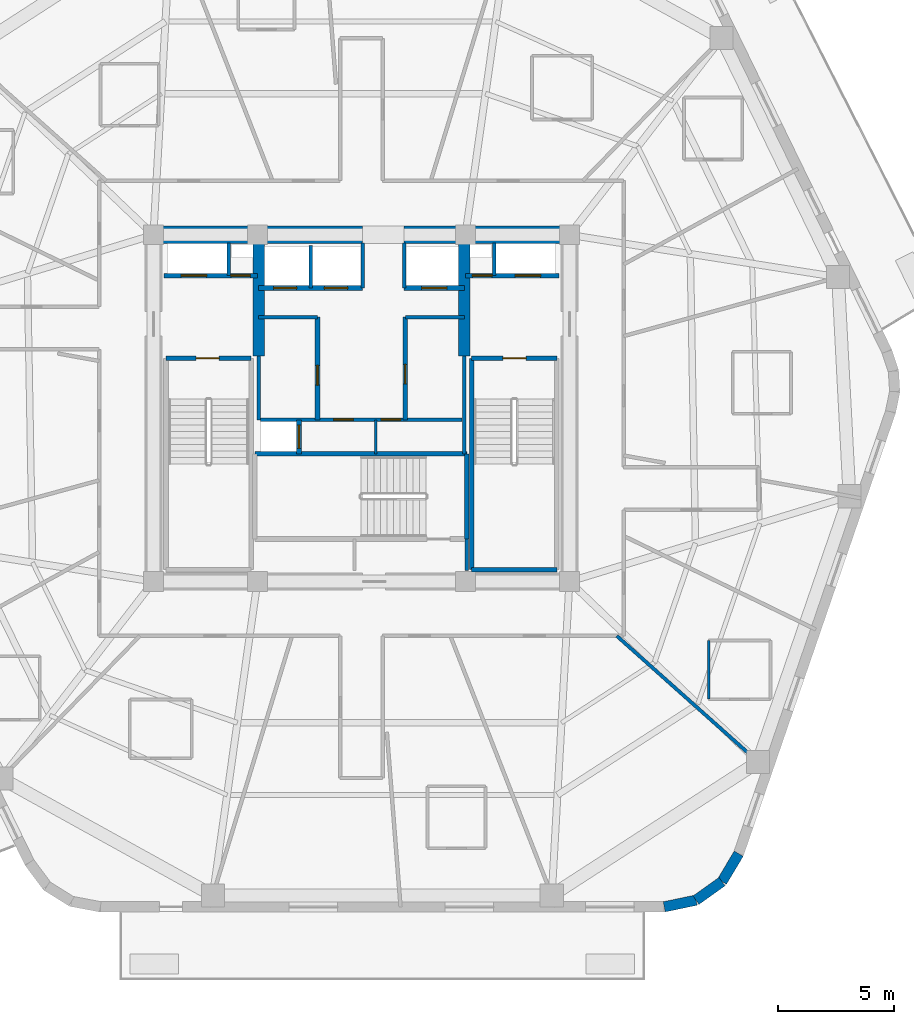
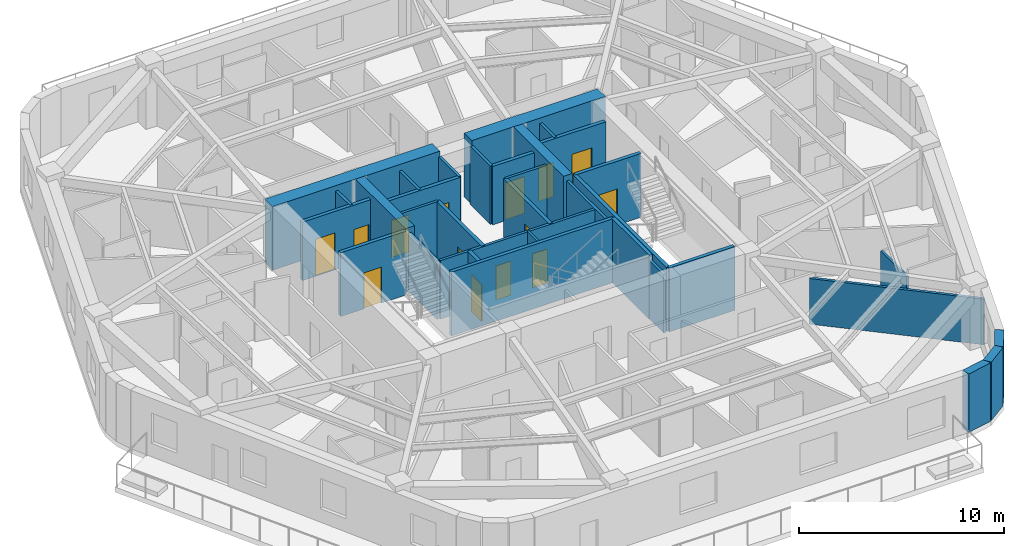
# One storey, part 4 of 10: 34 walls, 14 doors, 14 openings.
"""IFC4 building model written with IfcOpenShell, lengths in metres."""

from ifc_helpers import new_model, si_unit, direction, frame, frame_2d, origin, place, context, subcontext, project, spatial, rectangle, extrude, material, layer, layer_set, type_object, element, fill, save


model = new_model("IFC4")

# Units and contexts
model_context = context("Model", 3, precision=1e-05, world=origin(), true_north=direction((0.0, 1.0)))
body_context = subcontext(model_context, "Body", "Model", "MODEL_VIEW")
ifc_project = project(units=[si_unit("LENGTHUNIT", "METRE"), si_unit("AREAUNIT", "SQUARE_METRE"), si_unit("VOLUMEUNIT", "CUBIC_METRE"), si_unit("PLANEANGLEUNIT", "RADIAN"), si_unit("MASSUNIT", "GRAM", prefix="KILO")], contexts=[model_context])

# Site, building, storey
site_placement = place(None, origin())
site = spatial("IfcSite", under=ifc_project, at=site_placement, CompositionType="ELEMENT")
building_placement = place(site_placement, origin())
building = spatial("IfcBuilding", under=site, at=building_placement, Name="Kilnhurst Terrace Hotel", CompositionType="ELEMENT")
storey_placement = place(building_placement, frame((0.0, 0.0, 252.10009765625)))
storey = spatial("IfcBuildingStorey", under=building, at=storey_placement, Name="L63", CompositionType="ELEMENT", Elevation=252.10009765625)

# Walls
ifc_material_1 = material(Name="Precast concrete C40/50", Category="concrete")
ifc_layer_1 = layer(ifc_material_1, 0.449951171875, Name="Precast concrete C40/50")
ifc_layer_set_1 = layer_set([ifc_layer_1], Name="Precast concrete C40/50")
wall_type_1 = type_object("IfcWallType", Name="WL-BRK-450", PredefinedType="SOLIDWALL", material=ifc_layer_set_1)
wall_1_placement = place(storey_placement, frame((13.1015625, -21.574951171875, 0.0), z_axis=(0.0, 0.0, 1.0), x_axis=(0.978757421505, 0.205021730188, 0.0)))
element("IfcWall", 1, at=wall_1_placement, inside=storey, type_object=wall_type_1, Name="L63 Rounded Corner Brick Wall C2.1", PredefinedType="SOLIDWALL", context=body_context, shape_type="SweptSolid", body=[
    extrude(rectangle(XDim=1.40625, YDim=0.449951171875, at=frame_2d((0.703125, 0.0))), origin(), (0.0, 0.0, 1.0), 3.47998046875),
])
wall_2_placement = place(storey_placement, frame((14.47802734375, -21.28662109375, 0.0), z_axis=(0.0, 0.0, 1.0), x_axis=(0.813888518617, 0.58102106611, 0.0)))
element("IfcWall", 2, at=wall_2_placement, inside=storey, type_object=wall_type_1, Name="L63 Rounded Corner Brick Wall C2.2", PredefinedType="SOLIDWALL", context=body_context, shape_type="SweptSolid", body=[
    extrude(rectangle(XDim=1.3828125, YDim=0.449951171875, at=frame_2d((0.69140625, 0.0))), origin(), (0.0, 0.0, 1.0), 3.47998046875),
])
wall_3_placement = place(storey_placement, frame((15.603515625, -20.483154296875, 0.0), z_axis=(0.0, 0.0, 1.0), x_axis=(0.512222149036, 0.858852996756, 0.0)))
element("IfcWall", 3, at=wall_3_placement, inside=storey, type_object=wall_type_1, Name="L63 Rounded Corner Brick Wall C2.3", PredefinedType="SOLIDWALL", context=body_context, shape_type="SweptSolid", body=[
    extrude(rectangle(XDim=1.406494140625, YDim=0.449951171875, at=frame_2d((0.703125, 0.0))), origin(), (0.0, 0.0, 1.0), 3.47998046875),
])
ifc_material_2 = material(Name="Concrete C60/75", Category="concrete")
ifc_layer_2 = layer(ifc_material_2, 0.75, Name="Concrete C60/75")
ifc_layer_set_2 = layer_set([ifc_layer_2], Name="Concrete C60/75")
wall_type_2 = type_object("IfcWallType", Name="WL-CORE-750", PredefinedType="SHEAR", material=ifc_layer_set_2)
wall_4_placement = place(storey_placement, frame((-9.375, 7.5, 0.0), z_axis=(0.0, 0.0, 1.0), x_axis=(1.0, 0.0, 0.0)))
element("IfcWall", 4, at=wall_4_placement, inside=storey, type_object=wall_type_2, Name="L63 Core North West Shear Wall", PredefinedType="SHEAR", context=body_context, shape_type="SweptSolid", body=[
    extrude(rectangle(XDim=9.425048828125, YDim=0.75, at=frame_2d((4.71240234375, 0.0))), origin(), (0.0, 0.0, 1.0), 3.7998046875),
])
wall_5_placement = place(storey_placement, frame((1.85009765625, 7.5, 0.0), z_axis=(0.0, 0.0, 1.0), x_axis=(1.0, 0.0, 0.0)))
element("IfcWall", 5, at=wall_5_placement, inside=storey, type_object=wall_type_2, Name="L63 Core North East Shear Wall", PredefinedType="SHEAR", context=body_context, shape_type="SweptSolid", body=[
    extrude(rectangle(XDim=7.52490234375, YDim=0.75, at=frame_2d((3.762451171875, 0.0))), origin(), (0.0, 0.0, 1.0), 3.7998046875),
])
ifc_layer_3 = layer(ifc_material_2, 0.5, Name="Concrete C60/75")
ifc_layer_set_3 = layer_set([ifc_layer_3], Name="Concrete C60/75")
wall_type_3 = type_object("IfcWallType", Name="WL-CORE-WEB-500", PredefinedType="SHEAR", material=ifc_layer_set_3)
for number, where, z_axis, x_axis, name in (
    (6, (-4.449951171875, 2.25, 0.0), (0.0, 0.0, 1.0), (0.0, 1.0, 0.0), "L63 Core Internal West Shear Web"),
    (7, (4.449951171875, 2.25, 0.0), (0.0, 0.0, 1.0), (0.0, 1.0, 0.0), "L63 Core Internal East Shear Web"),
):
    element("IfcWall", number, at=place(storey_placement, frame(where, z_axis=z_axis, x_axis=x_axis)), inside=storey, type_object=wall_type_3, Name=name, PredefinedType="SHEAR", context=body_context, shape_type="SweptSolid", body=[
        extrude(rectangle(XDim=4.875, YDim=0.5, at=frame_2d((2.4375, 0.0))), origin(), (0.0, 0.0, 1.0), 3.7998046875),
    ])
ifc_material_3 = material(Name="STC-58 Acoustic Twin-Frame Guestroom Demising Partition")
ifc_layer_4 = layer(ifc_material_3, 0.14990234375, Name="STC-58 Acoustic Twin-Frame Guestroom Demising Partition")
ifc_layer_set_4 = layer_set([ifc_layer_4], Name="STC-58 Acoustic Twin-Frame Guestroom Demising Partition")
wall_type_4 = type_object("IfcWallType", Name="WL-DEM-150", PredefinedType="PARTITIONING", material=ifc_layer_set_4)
wall_6_placement = place(storey_placement, frame((11.04833984375, -9.85009765625, 0.0), z_axis=(0.0, 0.0, 1.0), x_axis=(0.746444434655, -0.665447748492, 0.0)))
element("IfcWall", 8, at=wall_6_placement, inside=storey, type_object=wall_type_4, Name="L63 Interior Wall WL-L63-DEM-COL11-16-1", PredefinedType="PARTITIONING", context=body_context, shape_type="SweptSolid", body=[
    extrude(rectangle(XDim=8.732177734375, YDim=0.14990234375, at=frame_2d((4.3662109375, 0.0))), origin(), (0.0, 0.0, 1.0), 2.719970703125),
])
ifc_material_4 = material(Name="120 mm Moisture-Resistant Tile-Backed Bathroom Partition")
ifc_layer_5 = layer(ifc_material_4, 0.1201171875, Name="120 mm Moisture-Resistant Tile-Backed Bathroom Partition")
ifc_layer_set_5 = layer_set([ifc_layer_5], Name="120 mm Moisture-Resistant Tile-Backed Bathroom Partition")
wall_type_5 = type_object("IfcWallType", Name="WL-PART-120", PredefinedType="PARTITIONING", material=ifc_layer_set_5)
wall_7_placement = place(storey_placement, frame((0.6201171875, -1.971923828125, 0.0), z_axis=(0.0, 0.0, 1.0), x_axis=(0.0, 1.0, 0.0)))
element("IfcWall", 9, at=wall_7_placement, inside=storey, type_object=wall_type_5, Name="L63 Interior Wall WL-L63-BOH-C1", PredefinedType="PARTITIONING", context=body_context, shape_type="SweptSolid", body=[
    extrude(rectangle(XDim=1.471923828125, YDim=0.1201171875, at=frame_2d((0.73583984375, 0.0))), origin(), (0.0, 0.0, 1.0), 3.47998046875),
])
wall_8_placement = place(storey_placement, frame((15.02392578125, -10.049072265625, 0.0), z_axis=(0.0, 0.0, 1.0), x_axis=(0.0, -1.0, 0.0)))
element("IfcWall", 10, at=wall_8_placement, inside=storey, type_object=wall_type_5, Name="L63 Interior Wall WL-L63-BTH-16-4", PredefinedType="PARTITIONING", context=body_context, shape_type="SweptSolid", body=[
    extrude(rectangle(XDim=2.5400390625, YDim=0.1201171875, at=frame_2d((1.27001953125, 0.0))), origin(), (0.0, 0.0, 1.0), 3.05224609375),
])
ifc_material_5 = material(Name="Fire-Rated Gypsum Shaftliner Assembly")
ifc_layer_6 = layer(ifc_material_5, 0.14990234375, Name="Fire-Rated Gypsum Shaftliner Assembly")
ifc_layer_set_6 = layer_set([ifc_layer_6], Name="Fire-Rated Gypsum Shaftliner Assembly")
wall_type_6 = type_object("IfcWallType", Name="WL-SHAFT-150", PredefinedType="PARTITIONING", material=ifc_layer_set_6)
wall_9_placement = place(storey_placement, frame((4.55810546875, -7.02001953125, 0.0), z_axis=(0.0, 0.0, 1.0), x_axis=(0.0, 1.0, 0.0)))
element("IfcWall", 11, at=wall_9_placement, inside=storey, type_object=wall_type_6, Name="L63 Interior Wall WL-L63-ST3-PSGE", PredefinedType="PARTITIONING", context=body_context, shape_type="SweptSolid", body=[
    extrude(rectangle(XDim=1.362060546875, YDim=0.14990234375, at=frame_2d((0.68115234375, 0.0))), origin(), (0.0, 0.0, 1.0), 3.47998046875),
])
for number, where, z_axis, x_axis, name in (
    (12, (-5.75, 5.739990234375, 0.0), (0.0, 0.0, 1.0), (0.0, 1.0, 0.0), "L63 Interior Wall WL-L63-RIS1-DIV"),
    (13, (5.75, 5.739990234375, 0.0), (0.0, 0.0, 1.0), (0.0, 1.0, 0.0), "L63 Interior Wall WL-L63-RIS2-DIV"),
):
    element("IfcWall", number, at=place(storey_placement, frame(where, z_axis=z_axis, x_axis=x_axis)), inside=storey, type_object=wall_type_6, Name=name, PredefinedType="PARTITIONING", context=body_context, shape_type="SweptSolid", body=[
        extrude(rectangle(XDim=1.409912109375, YDim=0.14990234375, at=frame_2d((0.705078125, 0.0))), origin(), (0.0, 0.0, 1.0), 3.47998046875),
    ])
wall_10_placement = place(storey_placement, frame((-2.199951171875, 5.199951171875, 0.0), z_axis=(0.0, 0.0, 1.0), x_axis=(0.0, 1.0, 0.0)))
element("IfcWall", 14, at=wall_10_placement, inside=storey, type_object=wall_type_6, Name="L63 Interior Wall WL-L63-HR-DIV1", PredefinedType="PARTITIONING", context=body_context, shape_type="SweptSolid", body=[
    extrude(rectangle(XDim=1.85009765625, YDim=0.14990234375, at=frame_2d((0.925048828125, 0.0))), origin(), (0.0, 0.0, 1.0), 3.47998046875),
])
for number, where, z_axis, x_axis, name in (
    (15, (0.050048828125, 5.199951171875, 0.0), (0.0, 0.0, 1.0), (0.0, 1.0, 0.0), "L63 Interior Wall WL-L63-HR-PORTAL-W"),
    (16, (1.85009765625, 5.199951171875, 0.0), (0.0, 0.0, 1.0), (0.0, 1.0, 0.0), "L63 Interior Wall WL-L63-HR-PORTAL-E"),
):
    element("IfcWall", number, at=place(storey_placement, frame(where, z_axis=z_axis, x_axis=x_axis)), inside=storey, type_object=wall_type_6, Name=name, PredefinedType="PARTITIONING", context=body_context, shape_type="SweptSolid", body=[
        extrude(rectangle(XDim=1.949951171875, YDim=0.14990234375, at=frame_2d((0.97509765625, 0.0))), origin(), (0.0, 0.0, 1.0), 3.47998046875),
    ])
wall_11_placement = place(storey_placement, frame((-4.449951171875, -0.5, 0.0), z_axis=(0.0, 0.0, 1.0), x_axis=(0.0, 1.0, 0.0)))
element("IfcWall", 17, at=wall_11_placement, inside=storey, type_object=wall_type_6, Name="L63 Interior Wall WL-L63-XLOB-W", PredefinedType="PARTITIONING", context=body_context, shape_type="SweptSolid", body=[
    extrude(rectangle(XDim=2.75, YDim=0.14990234375, at=frame_2d((1.375, 0.0))), origin(), (0.0, 0.0, 1.0), 3.47998046875),
])
wall_12_placement = place(storey_placement, frame((4.449951171875, -1.971923828125, 0.0), z_axis=(0.0, 0.0, 1.0), x_axis=(0.0, 1.0, 0.0)))
element("IfcWall", 18, at=wall_12_placement, inside=storey, type_object=wall_type_6, Name="L63 Interior Wall WL-L63-XLOB-E", PredefinedType="PARTITIONING", context=body_context, shape_type="SweptSolid", body=[
    extrude(rectangle(XDim=4.221923828125, YDim=0.14990234375, at=frame_2d((2.11083984375, 0.0))), origin(), (0.0, 0.0, 1.0), 3.47998046875),
])
for number, where, z_axis, x_axis, name in (
    (19, (-4.449951171875, 3.93994140625, 0.0), (0.0, 0.0, 1.0), (1.0, 0.0, 0.0), "L63 Interior Wall WL-L63-LR-NORTH"),
    (20, (1.89990234375, 3.93994140625, 0.0), (0.0, 0.0, 1.0), (1.0, 0.0, 0.0), "L63 Interior Wall WL-L63-MR-NORTH"),
):
    element("IfcWall", number, at=place(storey_placement, frame(where, z_axis=z_axis, x_axis=x_axis)), inside=storey, type_object=wall_type_6, Name=name, PredefinedType="PARTITIONING", context=body_context, shape_type="SweptSolid", body=[
        extrude(rectangle(XDim=2.550048828125, YDim=0.14990234375, at=frame_2d((1.27490234375, 0.0))), origin(), (0.0, 0.0, 1.0), 3.47998046875),
    ])

# Wall, openings, doors
wall_13_placement = place(storey_placement, frame((-4.360107421875, -0.489990234375, 0.0), z_axis=(0.0, 0.0, 1.0), x_axis=(1.0, 0.0, 0.0)))
wall_13 = element("IfcWall", 21, at=wall_13_placement, inside=storey, type_object=wall_type_6, Name="L63 Interior Wall WL-L63-BOH-N", PredefinedType="PARTITIONING", context=body_context, shape_type="SweptSolid", body=[
    extrude(rectangle(XDim=8.72021484375, YDim=0.14990234375, at=frame_2d((4.360107421875, 0.0))), origin(), (0.0, 0.0, 1.0), 3.47998046875),
])
opening_1_placement = place(wall_13_placement, frame((3.159912109375, 0.0, 0.0)))
opening_1 = element("IfcOpeningElement", 22, at=opening_1_placement, cuts=wall_13, Name="Opening D-60D", PredefinedType="OPENING", context=body_context, shape_type="SweptSolid", body=[
    extrude(rectangle(XDim=0.85009765625, YDim=2.030029296875, at=frame_2d((0.425048828125, 1.01513671875))), frame((0.0, 0.0849609375, 0.0), z_axis=(0.0, -1.0, 0.0), x_axis=(1.0, 0.0, 0.0)), (0.0, 0.0, 1.0), 0.169921875),
])
opening_2_placement = place(wall_13_placement, frame((5.2099609375, 0.0, 0.0)))
opening_2 = element("IfcOpeningElement", 23, at=opening_2_placement, cuts=wall_13, Name="Opening D-60D", PredefinedType="OPENING", context=body_context, shape_type="SweptSolid", body=[
    extrude(rectangle(XDim=0.85009765625, YDim=2.030029296875, at=frame_2d((0.425048828125, 1.01513671875))), frame((0.0, 0.0849609375, 0.0), z_axis=(0.0, -1.0, 0.0), x_axis=(1.0, 0.0, 0.0)), (0.0, 0.0, 1.0), 0.169921875),
])
ifc_material_6 = material(Name="Painted Hollow Metal Steel ASTM A36 Riser Door", Category="steel")
door_type_1 = type_object("IfcDoorType", Name="DR-FD60-850", OperationType="NOTDEFINED", PredefinedType="DOOR", material=ifc_material_6)
door_1_placement = place(opening_1_placement, origin())
door_1 = element("IfcDoor", 24, at=door_1_placement, inside=storey, type_object=door_type_1, Name="L63 Housekeeping Laundry Door", OperationType="SINGLE_SWING_LEFT", OverallHeight=2.030029296875, OverallWidth=0.85009765625, PredefinedType="DOOR", context=body_context, shape_type="SweptSolid", body=[
    extrude(rectangle(XDim=0.85009765625, YDim=2.030029296875, at=frame_2d((0.425048828125, 1.01513671875))), frame((0.0, 0.02490234375, 0.0), z_axis=(0.0, -1.0, 0.0), x_axis=(1.0, 0.0, 0.0)), (0.0, 0.0, 1.0), 0.050048828125),
])
fill(opening_1, door_1)
door_2_placement = place(opening_2_placement, origin())
door_2 = element("IfcDoor", 25, at=door_2_placement, inside=storey, type_object=door_type_1, Name="L63 Room Service Kitchen Door", OperationType="SINGLE_SWING_RIGHT", OverallHeight=2.030029296875, OverallWidth=0.85009765625, PredefinedType="DOOR", context=body_context, shape_type="SweptSolid", body=[
    extrude(rectangle(XDim=0.85009765625, YDim=2.030029296875, at=frame_2d((0.425048828125, 1.01513671875))), frame((0.0, 0.02490234375, 0.0), z_axis=(0.0, -1.0, 0.0), x_axis=(1.0, 0.0, 0.0)), (0.0, 0.0, 1.0), 0.050048828125),
])
fill(opening_2, door_2)

ifc_material_7 = material(Name="Autoclaved Aerated Concrete C30/37 and Gypsum Shaft Assembly", Category="concrete")
ifc_layer_7 = layer(ifc_material_7, 0.199951171875, Name="Autoclaved Aerated Concrete C30/37 and Gypsum Shaft Assembly")
ifc_layer_set_7 = layer_set([ifc_layer_7], Name="Autoclaved Aerated Concrete C30/37 and Gypsum Shaft Assembly")
wall_type_7 = type_object("IfcWallType", Name="WL-SHAFT-200", PredefinedType="PARTITIONING", material=ifc_layer_set_7)
wall_14_placement = place(storey_placement, frame((-8.550048828125, 5.739990234375, 0.0), z_axis=(0.0, 0.0, 1.0), x_axis=(1.0, 0.0, 0.0)))
wall_14 = element("IfcWall", 26, at=wall_14_placement, inside=storey, type_object=wall_type_7, Name="L63 Interior Wall WL-L63-FSAE1-S", PredefinedType="PARTITIONING", context=body_context, shape_type="SweptSolid", body=[
    extrude(rectangle(XDim=4.050048828125, YDim=0.199951171875, at=frame_2d((2.02490234375, 0.0))), origin(), (0.0, 0.0, 1.0), 3.47998046875),
])
opening_3_placement = place(wall_14_placement, frame((0.75, 0.0, 0.0)))
opening_3 = element("IfcOpeningElement", 27, at=opening_3_placement, cuts=wall_14, Name="Opening LD-F1", PredefinedType="OPENING", context=body_context, shape_type="SweptSolid", body=[
    extrude(rectangle(XDim=1.10009765625, YDim=2.199951171875, at=frame_2d((0.550048828125, 1.10009765625))), frame((0.0, 0.10986328125, 0.0), z_axis=(0.0, -1.0, 0.0), x_axis=(1.0, 0.0, 0.0)), (0.0, 0.0, 1.0), 0.219970703125),
])
opening_4_placement = place(wall_14_placement, frame((2.89990234375, 0.0, 0.0)))
opening_4 = element("IfcOpeningElement", 28, at=opening_4_placement, cuts=wall_14, Name="Opening D-60D", PredefinedType="OPENING", context=body_context, shape_type="SweptSolid", body=[
    extrude(rectangle(XDim=0.85009765625, YDim=2.030029296875, at=frame_2d((0.425048828125, 1.01513671875))), frame((0.0, 0.10986328125, 0.0), z_axis=(0.0, -1.0, 0.0), x_axis=(1.0, 0.0, 0.0)), (0.0, 0.0, 1.0), 0.219970703125),
])
door_3_placement = place(opening_4_placement, origin())
door_3 = element("IfcDoor", 29, at=door_3_placement, inside=storey, type_object=door_type_1, Name="L63 Electrical Riser Door", OperationType="SINGLE_SWING_LEFT", OverallHeight=2.030029296875, OverallWidth=0.85009765625, PredefinedType="DOOR", context=body_context, shape_type="SweptSolid", body=[
    extrude(rectangle(XDim=0.85009765625, YDim=2.030029296875, at=frame_2d((0.425048828125, 1.01513671875))), frame((0.0, 0.02490234375, 0.0), z_axis=(0.0, -1.0, 0.0), x_axis=(1.0, 0.0, 0.0)), (0.0, 0.0, 1.0), 0.050048828125),
])
fill(opening_4, door_3)
ifc_material_8 = material(Name="Bronze-Anodized Stainless Steel AISI 316L Sliding Door", Category="steel")
door_type_2 = type_object("IfcDoorType", Name="DR-LIFT-1100", OperationType="NOTDEFINED", PredefinedType="DOOR", material=ifc_material_8)
door_4_placement = place(opening_3_placement, origin())
door_4 = element("IfcDoor", 30, at=door_4_placement, inside=storey, type_object=door_type_2, Name="L63 FSAE-1 Landing Door", OperationType="SLIDING_TO_LEFT", OverallHeight=2.199951171875, OverallWidth=1.10009765625, PredefinedType="DOOR", context=body_context, shape_type="SweptSolid", body=[
    extrude(rectangle(XDim=1.10009765625, YDim=2.199951171875, at=frame_2d((0.550048828125, 1.10009765625))), frame((0.0, 0.02490234375, 0.0), z_axis=(0.0, -1.0, 0.0), x_axis=(1.0, 0.0, 0.0)), (0.0, 0.0, 1.0), 0.050048828125),
])
fill(opening_3, door_4)

wall_15_placement = place(storey_placement, frame((4.5, 5.739990234375, 0.0), z_axis=(0.0, 0.0, 1.0), x_axis=(1.0, 0.0, 0.0)))
wall_15 = element("IfcWall", 31, at=wall_15_placement, inside=storey, type_object=wall_type_7, Name="L63 Interior Wall WL-L63-FSAE2-S", PredefinedType="PARTITIONING", context=body_context, shape_type="SweptSolid", body=[
    extrude(rectangle(XDim=4.050048828125, YDim=0.199951171875, at=frame_2d((2.02490234375, 0.0))), origin(), (0.0, 0.0, 1.0), 3.47998046875),
])
opening_5_placement = place(wall_15_placement, frame((0.300048828125, 0.0, 0.0)))
opening_5 = element("IfcOpeningElement", 32, at=opening_5_placement, cuts=wall_15, Name="Opening D-60D", PredefinedType="OPENING", context=body_context, shape_type="SweptSolid", body=[
    extrude(rectangle(XDim=0.85009765625, YDim=2.030029296875, at=frame_2d((0.425048828125, 1.01513671875))), frame((0.0, 0.10986328125, 0.0), z_axis=(0.0, -1.0, 0.0), x_axis=(1.0, 0.0, 0.0)), (0.0, 0.0, 1.0), 0.219970703125),
])
opening_6_placement = place(wall_15_placement, frame((2.14990234375, 0.0, 0.0)))
opening_6 = element("IfcOpeningElement", 33, at=opening_6_placement, cuts=wall_15, Name="Opening LD-F2", PredefinedType="OPENING", context=body_context, shape_type="SweptSolid", body=[
    extrude(rectangle(XDim=1.10009765625, YDim=2.199951171875, at=frame_2d((0.550048828125, 1.10009765625))), frame((0.0, 0.10986328125, 0.0), z_axis=(0.0, -1.0, 0.0), x_axis=(1.0, 0.0, 0.0)), (0.0, 0.0, 1.0), 0.219970703125),
])
door_5_placement = place(opening_5_placement, origin())
door_5 = element("IfcDoor", 34, at=door_5_placement, inside=storey, type_object=door_type_1, Name="L63 Telecom Riser Door", OperationType="SINGLE_SWING_RIGHT", OverallHeight=2.030029296875, OverallWidth=0.85009765625, PredefinedType="DOOR", context=body_context, shape_type="SweptSolid", body=[
    extrude(rectangle(XDim=0.85009765625, YDim=2.030029296875, at=frame_2d((0.425048828125, 1.01513671875))), frame((0.0, 0.02490234375, 0.0), z_axis=(0.0, -1.0, 0.0), x_axis=(1.0, 0.0, 0.0)), (0.0, 0.0, 1.0), 0.050048828125),
])
fill(opening_5, door_5)
door_6_placement = place(opening_6_placement, origin())
door_6 = element("IfcDoor", 35, at=door_6_placement, inside=storey, type_object=door_type_2, Name="L63 FSAE-2 Landing Door", OperationType="SLIDING_TO_RIGHT", OverallHeight=2.199951171875, OverallWidth=1.10009765625, PredefinedType="DOOR", context=body_context, shape_type="SweptSolid", body=[
    extrude(rectangle(XDim=1.10009765625, YDim=2.199951171875, at=frame_2d((0.550048828125, 1.10009765625))), frame((0.0, 0.02490234375, 0.0), z_axis=(0.0, -1.0, 0.0), x_axis=(1.0, 0.0, 0.0)), (0.0, 0.0, 1.0), 0.050048828125),
])
fill(opening_6, door_6)

# Wall, opening, door
wall_16_placement = place(storey_placement, frame((-2.699951171875, -1.971923828125, 0.0), z_axis=(0.0, 0.0, 1.0), x_axis=(0.0, 1.0, 0.0)))
wall_16 = element("IfcWall", 36, at=wall_16_placement, inside=storey, type_object=wall_type_7, Name="L63 Interior Wall WL-L63-SRV1-E", PredefinedType="PARTITIONING", context=body_context, shape_type="SweptSolid", body=[
    extrude(rectangle(XDim=1.471923828125, YDim=0.199951171875, at=frame_2d((0.73583984375, 0.0))), origin(), (0.0, 0.0, 1.0), 3.47998046875),
])
opening_7_placement = place(wall_16_placement, frame((0.239990234375, 0.0, 0.0)))
opening_7 = element("IfcOpeningElement", 37, at=opening_7_placement, cuts=wall_16, Name="Opening LD-SV", PredefinedType="OPENING", context=body_context, shape_type="SweptSolid", body=[
    extrude(rectangle(XDim=1.0, YDim=2.199951171875, at=frame_2d((0.5, 1.10009765625))), frame((0.0, 0.10986328125, 0.0), z_axis=(0.0, -1.0, 0.0), x_axis=(1.0, 0.0, 0.0)), (0.0, 0.0, 1.0), 0.219970703125),
])
door_type_3 = type_object("IfcDoorType", Name="DR-LIFT-1000", OperationType="NOTDEFINED", PredefinedType="DOOR", material=ifc_material_8)
door_7_placement = place(opening_7_placement, origin())
door_7 = element("IfcDoor", 38, at=door_7_placement, inside=storey, type_object=door_type_3, Name="L63 Service Lift SRV-1 Landing Door", OperationType="SLIDING_TO_LEFT", OverallHeight=2.199951171875, OverallWidth=1.0, PredefinedType="DOOR", context=body_context, shape_type="SweptSolid", body=[
    extrude(rectangle(XDim=1.0, YDim=2.199951171875, at=frame_2d((0.5, 1.10009765625))), frame((0.0, 0.02490234375, 0.0), z_axis=(0.0, -1.0, 0.0), x_axis=(1.0, 0.0, 0.0)), (0.0, 0.0, 1.0), 0.050048828125),
])
fill(opening_7, door_7)

# Wall, openings, doors
wall_17_placement = place(storey_placement, frame((-4.449951171875, 5.199951171875, 0.0), z_axis=(0.0, 0.0, 1.0), x_axis=(1.0, 0.0, 0.0)))
wall_17 = element("IfcWall", 39, at=wall_17_placement, inside=storey, type_object=wall_type_7, Name="L63 Interior Wall WL-L63-HR-SW", PredefinedType="PARTITIONING", context=body_context, shape_type="SweptSolid", body=[
    extrude(rectangle(XDim=4.5, YDim=0.199951171875, at=frame_2d((2.25, 0.0))), origin(), (0.0, 0.0, 1.0), 3.47998046875),
])
opening_8_placement = place(wall_17_placement, frame((0.64990234375, 0.0, 0.0)))
opening_8 = element("IfcOpeningElement", 40, at=opening_8_placement, cuts=wall_17, Name="Opening LD-HR", PredefinedType="OPENING", context=body_context, shape_type="SweptSolid", body=[
    extrude(rectangle(XDim=1.0, YDim=2.199951171875, at=frame_2d((0.5, 1.10009765625))), frame((0.0, 0.10986328125, 0.0), z_axis=(0.0, -1.0, 0.0), x_axis=(1.0, 0.0, 0.0)), (0.0, 0.0, 1.0), 0.219970703125),
])
opening_9_placement = place(wall_17_placement, frame((2.85009765625, 0.0, 0.0)))
opening_9 = element("IfcOpeningElement", 41, at=opening_9_placement, cuts=wall_17, Name="Opening LD-HS", PredefinedType="OPENING", context=body_context, shape_type="SweptSolid", body=[
    extrude(rectangle(XDim=1.0, YDim=2.199951171875, at=frame_2d((0.5, 1.10009765625))), frame((0.0, 0.10986328125, 0.0), z_axis=(0.0, -1.0, 0.0), x_axis=(1.0, 0.0, 0.0)), (0.0, 0.0, 1.0), 0.219970703125),
])
door_8_placement = place(opening_8_placement, origin())
door_8 = element("IfcDoor", 42, at=door_8_placement, inside=storey, type_object=door_type_3, Name="L63 High Rise Lift HR-1 Landing Door", OperationType="SLIDING_TO_LEFT", OverallHeight=2.199951171875, OverallWidth=1.0, PredefinedType="DOOR", context=body_context, shape_type="SweptSolid", body=[
    extrude(rectangle(XDim=1.0, YDim=2.199951171875, at=frame_2d((0.5, 1.10009765625))), frame((0.0, 0.02490234375, 0.0), z_axis=(0.0, -1.0, 0.0), x_axis=(1.0, 0.0, 0.0)), (0.0, 0.0, 1.0), 0.050048828125),
])
fill(opening_8, door_8)
door_9_placement = place(opening_9_placement, origin())
door_9 = element("IfcDoor", 43, at=door_9_placement, inside=storey, type_object=door_type_3, Name="L63 High Rise Lift HR-3 Landing Door", OperationType="SLIDING_TO_RIGHT", OverallHeight=2.199951171875, OverallWidth=1.0, PredefinedType="DOOR", context=body_context, shape_type="SweptSolid", body=[
    extrude(rectangle(XDim=1.0, YDim=2.199951171875, at=frame_2d((0.5, 1.10009765625))), frame((0.0, 0.02490234375, 0.0), z_axis=(0.0, -1.0, 0.0), x_axis=(1.0, 0.0, 0.0)), (0.0, 0.0, 1.0), 0.050048828125),
])
fill(opening_9, door_9)

# Wall, opening, door
wall_18_placement = place(storey_placement, frame((1.85009765625, 5.199951171875, 0.0), z_axis=(0.0, 0.0, 1.0), x_axis=(1.0, 0.0, 0.0)))
wall_18 = element("IfcWall", 44, at=wall_18_placement, inside=storey, type_object=wall_type_7, Name="L63 Interior Wall WL-L63-HR-SE", PredefinedType="PARTITIONING", context=body_context, shape_type="SweptSolid", body=[
    extrude(rectangle(XDim=2.599853515625, YDim=0.199951171875, at=frame_2d((1.2998046875, 0.0))), origin(), (0.0, 0.0, 1.0), 3.47998046875),
])
opening_10_placement = place(wall_18_placement, frame((0.75, 0.0, 0.0)))
opening_10 = element("IfcOpeningElement", 45, at=opening_10_placement, cuts=wall_18, Name="Opening LD-H2", PredefinedType="OPENING", context=body_context, shape_type="SweptSolid", body=[
    extrude(rectangle(XDim=1.10009765625, YDim=2.199951171875, at=frame_2d((0.550048828125, 1.10009765625))), frame((0.0, 0.10986328125, 0.0), z_axis=(0.0, -1.0, 0.0), x_axis=(1.0, 0.0, 0.0)), (0.0, 0.0, 1.0), 0.219970703125),
])
door_10_placement = place(opening_10_placement, origin())
door_10 = element("IfcDoor", 46, at=door_10_placement, inside=storey, type_object=door_type_2, Name="L63 High Rise Lift HR-2 Landing Door", OperationType="SLIDING_TO_RIGHT", OverallHeight=2.199951171875, OverallWidth=1.10009765625, PredefinedType="DOOR", context=body_context, shape_type="SweptSolid", body=[
    extrude(rectangle(XDim=1.10009765625, YDim=2.199951171875, at=frame_2d((0.550048828125, 1.10009765625))), frame((0.0, 0.02490234375, 0.0), z_axis=(0.0, -1.0, 0.0), x_axis=(1.0, 0.0, 0.0)), (0.0, 0.0, 1.0), 0.050048828125),
])
fill(opening_10, door_10)

wall_19_placement = place(storey_placement, frame((-1.89990234375, -0.5, 0.0), z_axis=(0.0, 0.0, 1.0), x_axis=(0.0, 1.0, 0.0)))
wall_19 = element("IfcWall", 47, at=wall_19_placement, inside=storey, type_object=wall_type_7, Name="L63 Interior Wall WL-L63-LR-FRONT", PredefinedType="PARTITIONING", context=body_context, shape_type="SweptSolid", body=[
    extrude(rectangle(XDim=4.43994140625, YDim=0.199951171875, at=frame_2d((2.219970703125, 0.0))), origin(), (0.0, 0.0, 1.0), 3.47998046875),
])
opening_11_placement = place(wall_19_placement, frame((1.5, 0.0, 0.0)))
opening_11 = element("IfcOpeningElement", 48, at=opening_11_placement, cuts=wall_19, Name="Opening D-60D", PredefinedType="OPENING", context=body_context, shape_type="SweptSolid", body=[
    extrude(rectangle(XDim=0.85009765625, YDim=2.030029296875, at=frame_2d((0.425048828125, 1.01513671875))), frame((0.0, 0.10986328125, 0.0), z_axis=(0.0, -1.0, 0.0), x_axis=(1.0, 0.0, 0.0)), (0.0, 0.0, 1.0), 0.219970703125),
])
door_11_placement = place(opening_11_placement, origin())
door_11 = element("IfcDoor", 49, at=door_11_placement, inside=storey, type_object=door_type_1, Name="L63 Reclaimed Linen Room Door", OperationType="SINGLE_SWING_LEFT", OverallHeight=2.030029296875, OverallWidth=0.85009765625, PredefinedType="DOOR", context=body_context, shape_type="SweptSolid", body=[
    extrude(rectangle(XDim=0.85009765625, YDim=2.030029296875, at=frame_2d((0.425048828125, 1.01513671875))), frame((0.0, 0.02490234375, 0.0), z_axis=(0.0, -1.0, 0.0), x_axis=(1.0, 0.0, 0.0)), (0.0, 0.0, 1.0), 0.050048828125),
])
fill(opening_11, door_11)

wall_20_placement = place(storey_placement, frame((1.89990234375, -0.5, 0.0), z_axis=(0.0, 0.0, 1.0), x_axis=(0.0, 1.0, 0.0)))
wall_20 = element("IfcWall", 50, at=wall_20_placement, inside=storey, type_object=wall_type_7, Name="L63 Interior Wall WL-L63-MR-FRONT", PredefinedType="PARTITIONING", context=body_context, shape_type="SweptSolid", body=[
    extrude(rectangle(XDim=4.43994140625, YDim=0.199951171875, at=frame_2d((2.219970703125, 0.0))), origin(), (0.0, 0.0, 1.0), 3.47998046875),
])
opening_12_placement = place(wall_20_placement, frame((1.550048828125, 0.0, 0.0)))
opening_12 = element("IfcOpeningElement", 51, at=opening_12_placement, cuts=wall_20, Name="Opening D-60D", PredefinedType="OPENING", context=body_context, shape_type="SweptSolid", body=[
    extrude(rectangle(XDim=0.85009765625, YDim=2.030029296875, at=frame_2d((0.425048828125, 1.01513671875))), frame((0.0, 0.10986328125, 0.0), z_axis=(0.0, -1.0, 0.0), x_axis=(1.0, 0.0, 0.0)), (0.0, 0.0, 1.0), 0.219970703125),
])
door_12_placement = place(opening_12_placement, origin())
door_12 = element("IfcDoor", 52, at=door_12_placement, inside=storey, type_object=door_type_1, Name="L63 Staff Accessible Restroom Door", OperationType="SINGLE_SWING_RIGHT", OverallHeight=2.030029296875, OverallWidth=0.85009765625, PredefinedType="DOOR", context=body_context, shape_type="SweptSolid", body=[
    extrude(rectangle(XDim=0.85009765625, YDim=2.030029296875, at=frame_2d((0.425048828125, 1.01513671875))), frame((0.0, 0.02490234375, 0.0), z_axis=(0.0, -1.0, 0.0), x_axis=(1.0, 0.0, 0.0)), (0.0, 0.0, 1.0), 0.050048828125),
])
fill(opening_12, door_12)

ifc_material_9 = material(Name="Concrete C50/60", Category="concrete")
ifc_layer_8 = layer(ifc_material_9, 0.199951171875, Name="Concrete C50/60")
ifc_layer_set_8 = layer_set([ifc_layer_8], Name="Concrete C50/60")
wall_type_8 = type_object("IfcWallType", Name="WL-STAIR-RC-200", PredefinedType="SHEAR", material=ifc_layer_set_8)
wall_21_placement = place(storey_placement, frame((-8.4580078125, 2.157958984375, 0.0), z_axis=(0.0, 0.0, 1.0), x_axis=(1.0, 0.0, 0.0)))
wall_21 = element("IfcWall", 53, at=wall_21_placement, inside=storey, type_object=wall_type_8, Name="L63 Structural Stair Shaft Wall WL-L63-ST1-N", PredefinedType="SHEAR", context=body_context, shape_type="SweptSolid", body=[
    extrude(rectangle(XDim=3.68603515625, YDim=0.199951171875, at=frame_2d((1.843017578125, 0.0))), origin(), (0.0, 0.0, 1.0), 3.7998046875),
])
opening_13_placement = place(wall_21_placement, frame((1.300048828125, 0.0, 0.0)))
opening_13 = element("IfcOpeningElement", 54, at=opening_13_placement, cuts=wall_21, Name="Opening D-90B", PredefinedType="OPENING", context=body_context, shape_type="SweptSolid", body=[
    extrude(rectangle(XDim=1.0, YDim=2.14990234375, at=frame_2d((0.5, 1.074951171875))), frame((0.0, 0.10986328125, 0.0), z_axis=(0.0, -1.0, 0.0), x_axis=(1.0, 0.0, 0.0)), (0.0, 0.0, 1.0), 0.219970703125),
])
ifc_material_10 = material(Name="Painted Hollow Metal Steel ASTM A36 Fire Door", Category="steel")
door_type_4 = type_object("IfcDoorType", Name="DR-FD90-1000", OperationType="NOTDEFINED", PredefinedType="DOOR", material=ifc_material_10)
door_13_placement = place(opening_13_placement, origin())
door_13 = element("IfcDoor", 55, at=door_13_placement, inside=storey, type_object=door_type_4, Name="L63 Stair ST-1 Door", OperationType="SINGLE_SWING_LEFT", OverallHeight=2.14990234375, OverallWidth=1.0, PredefinedType="DOOR", context=body_context, shape_type="SweptSolid", body=[
    extrude(rectangle(XDim=1.0, YDim=2.14990234375, at=frame_2d((0.5, 1.074951171875))), frame((0.0, 0.02490234375, 0.0), z_axis=(0.0, -1.0, 0.0), x_axis=(1.0, 0.0, 0.0)), (0.0, 0.0, 1.0), 0.050048828125),
])
fill(opening_13, door_13)

# Walls
wall_22_placement = place(storey_placement, frame((4.77197265625, -6.985107421875, 0.0), z_axis=(0.0, 0.0, 1.0), x_axis=(0.0, 1.0, 0.0)))
element("IfcWall", 56, at=wall_22_placement, inside=storey, type_object=wall_type_8, Name="L63 Structural Stair Shaft Wall WL-L63-ST2-W", PredefinedType="SHEAR", context=body_context, shape_type="SweptSolid", body=[
    extrude(rectangle(XDim=9.14306640625, YDim=0.199951171875, at=frame_2d((4.571533203125, 0.0))), origin(), (0.0, 0.0, 1.0), 3.7998046875),
])
wall_23_placement = place(storey_placement, frame((4.77197265625, -6.985107421875, 0.0), z_axis=(0.0, 0.0, 1.0), x_axis=(1.0, 0.0, 0.0)))
element("IfcWall", 57, at=wall_23_placement, inside=storey, type_object=wall_type_8, Name="L63 Structural Stair Shaft Wall WL-L63-ST2-S", PredefinedType="SHEAR", context=body_context, shape_type="SweptSolid", body=[
    extrude(rectangle(XDim=3.68603515625, YDim=0.199951171875, at=frame_2d((1.843017578125, 0.0))), origin(), (0.0, 0.0, 1.0), 3.7998046875),
])

# Wall, opening, door
wall_24_placement = place(storey_placement, frame((4.77197265625, 2.157958984375, 0.0), z_axis=(0.0, 0.0, 1.0), x_axis=(1.0, 0.0, 0.0)))
wall_24 = element("IfcWall", 58, at=wall_24_placement, inside=storey, type_object=wall_type_8, Name="L63 Structural Stair Shaft Wall WL-L63-ST2-N", PredefinedType="SHEAR", context=body_context, shape_type="SweptSolid", body=[
    extrude(rectangle(XDim=3.68603515625, YDim=0.199951171875, at=frame_2d((1.843017578125, 0.0))), origin(), (0.0, 0.0, 1.0), 3.7998046875),
])
opening_14_placement = place(wall_24_placement, frame((1.35009765625, 0.0, 0.0)))
opening_14 = element("IfcOpeningElement", 59, at=opening_14_placement, cuts=wall_24, Name="Opening D-90B", PredefinedType="OPENING", context=body_context, shape_type="SweptSolid", body=[
    extrude(rectangle(XDim=1.0, YDim=2.14990234375, at=frame_2d((0.5, 1.074951171875))), frame((0.0, 0.10986328125, 0.0), z_axis=(0.0, -1.0, 0.0), x_axis=(1.0, 0.0, 0.0)), (0.0, 0.0, 1.0), 0.219970703125),
])
door_14_placement = place(opening_14_placement, origin())
door_14 = element("IfcDoor", 60, at=door_14_placement, inside=storey, type_object=door_type_4, Name="L63 Stair ST-2 Door", OperationType="SINGLE_SWING_RIGHT", OverallHeight=2.14990234375, OverallWidth=1.0, PredefinedType="DOOR", context=body_context, shape_type="SweptSolid", body=[
    extrude(rectangle(XDim=1.0, YDim=2.14990234375, at=frame_2d((0.5, 1.074951171875))), frame((0.0, 0.02490234375, 0.0), z_axis=(0.0, -1.0, 0.0), x_axis=(1.0, 0.0, 0.0)), (0.0, 0.0, 1.0), 0.050048828125),
])
fill(opening_14, door_14)

# Walls
wall_25_placement = place(storey_placement, frame((-4.60791015625, -1.971923828125, 0.0), z_axis=(0.0, 0.0, 1.0), x_axis=(1.0, 0.0, 0.0)))
element("IfcWall", 61, at=wall_25_placement, inside=storey, type_object=wall_type_8, Name="L63 Structural Stair Shaft Wall WL-L63-ST3-N", PredefinedType="SHEAR", context=body_context, shape_type="SweptSolid", body=[
    extrude(rectangle(XDim=9.166015625, YDim=0.199951171875, at=frame_2d((4.5830078125, 0.0))), origin(), (0.0, 0.0, 1.0), 3.7998046875),
])
wall_26_placement = place(storey_placement, frame((4.55810546875, -5.657958984375, 0.0), z_axis=(0.0, 0.0, 1.0), x_axis=(0.0, 1.0, 0.0)))
element("IfcWall", 62, at=wall_26_placement, inside=storey, type_object=wall_type_8, Name="L63 Structural Stair Shaft Wall WL-L63-ST3-E", PredefinedType="SHEAR", context=body_context, shape_type="SweptSolid", body=[
    extrude(rectangle(XDim=3.68603515625, YDim=0.199951171875, at=frame_2d((1.843017578125, 0.0))), origin(), (0.0, 0.0, 1.0), 3.7998046875),
])

save(model, "model.ifc")
